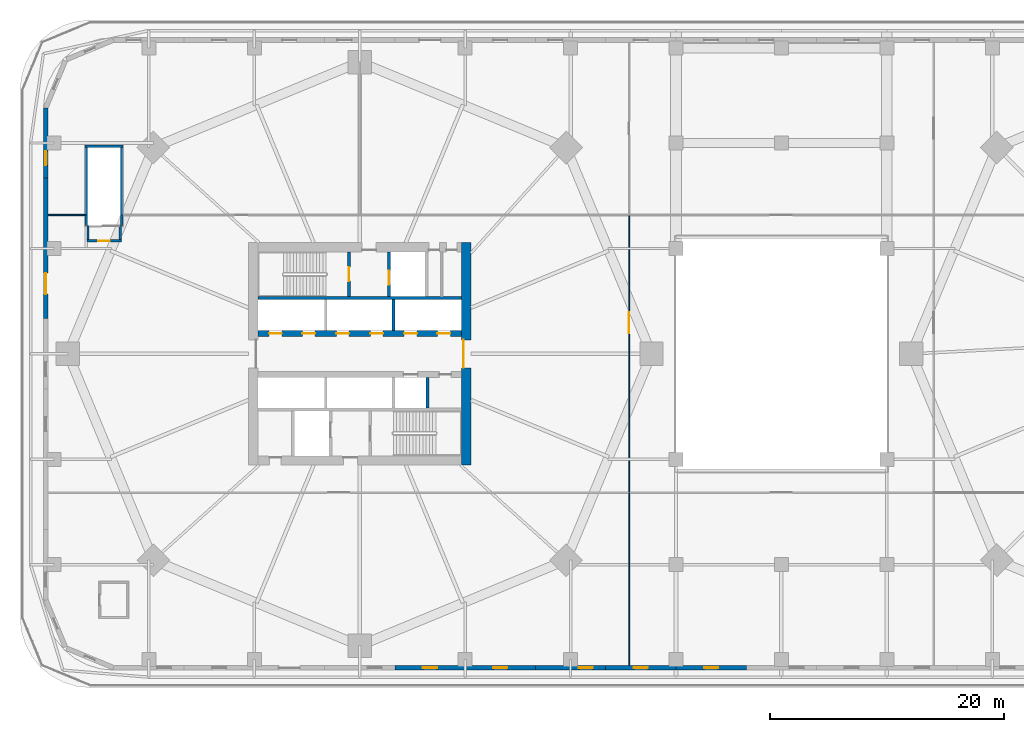
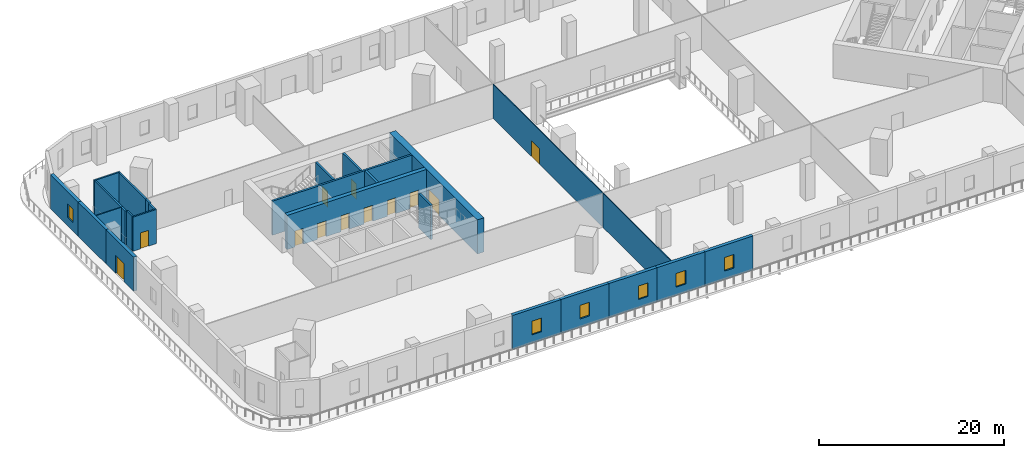
# One storey, part 5 of 16: 26 walls, 12 doors, 6 windows, 18 openings.
"""IFC4 building model written with IfcOpenShell, lengths in metres."""

from ifc_helpers import new_model, si_unit, direction, frame, frame_2d, origin, place, context, subcontext, project, spatial, rectangle, extrude, material, layer, layer_set, type_object, element, fill, save


model = new_model("IFC4")

# Units and contexts
model_context = context("Model", 3, precision=1e-05, world=origin(), true_north=direction((0.0, 1.0)))
body_context = subcontext(model_context, "Body", "Model", "MODEL_VIEW")
ifc_project = project(units=[si_unit("LENGTHUNIT", "METRE"), si_unit("AREAUNIT", "SQUARE_METRE"), si_unit("VOLUMEUNIT", "CUBIC_METRE"), si_unit("PLANEANGLEUNIT", "RADIAN"), si_unit("MASSUNIT", "GRAM", prefix="KILO")], contexts=[model_context])

# Site, building, storey
site_placement = place(None, origin())
site = spatial("IfcSite", under=ifc_project, at=site_placement, CompositionType="ELEMENT")
building_placement = place(site_placement, origin())
building = spatial("IfcBuilding", under=site, at=building_placement, Name="Ogive Gate Towers", CompositionType="ELEMENT")
storey_placement = place(building_placement, frame((0.0, 0.0, 22.800048828125)))
storey = spatial("IfcBuildingStorey", under=building, at=storey_placement, Name="L04", CompositionType="ELEMENT", Elevation=22.800048828125)

# Wall, opening, door
ifc_material_1 = material(Name="Concrete C60/75", Category="concrete")
ifc_layer_1 = layer(ifc_material_1, 0.800048828125)
ifc_layer_set_1 = layer_set([ifc_layer_1], Name="Core wall 800 mm")
wall_type_1 = type_object("IfcWallType", Name="Core wall 800 mm", PredefinedType="SHEAR", material=ifc_layer_set_1)
wall_1_placement = place(storey_placement, frame((-26.89990234375, -9.5, 0.0), z_axis=(0.0, 0.0, 1.0), x_axis=(0.0, 1.0, 0.0)))
wall_1 = element("IfcWall", 1, at=wall_1_placement, inside=storey, type_object=wall_type_1, Name="T1 L04 Core wall 800 mm", PredefinedType="SHEAR", context=body_context, shape_type="SweptSolid", body=[
    extrude(rectangle(XDim=19.0, YDim=0.800048828125, at=frame_2d((9.5, 0.0))), origin(), (0.0, 0.0, 1.0), 4.5),
])
opening_1_placement = place(wall_1_placement, frame((8.300048828125, 0.0, 0.0)))
opening_1 = element("IfcOpeningElement", 2, at=opening_1_placement, cuts=wall_1, Name="Opening KD-T1-L04-02", PredefinedType="OPENING", context=body_context, shape_type="SweptSolid", body=[
    extrude(rectangle(XDim=2.39990234375, YDim=2.10009765625, at=frame_2d((1.199951171875, 1.050048828125))), frame((0.0, 0.41015625, 0.0), z_axis=(0.0, -1.0, 0.0), x_axis=(1.0, 0.0, 0.0)), (0.0, 0.0, 1.0), 0.820068359375),
])
ifc_material_2 = material(Name="Steel fire door", Category="steel")
door_type_1 = type_object("IfcDoorType", Name="Core double door FD60S 2400 x 2100", OperationType="DOUBLE_DOOR_SINGLE_SWING", PredefinedType="DOOR", material=ifc_material_2)
door_1_placement = place(opening_1_placement, origin())
door_1 = element("IfcDoor", 3, at=door_1_placement, inside=storey, type_object=door_type_1, Name="T1 L04 Core door double", OperationType="DOUBLE_DOOR_SINGLE_SWING", OverallHeight=2.10009765625, OverallWidth=2.39990234375, PredefinedType="DOOR", context=body_context, shape_type="SweptSolid", body=[
    extrude(rectangle(XDim=2.39990234375, YDim=2.10009765625, at=frame_2d((1.199951171875, 1.050048828125))), frame((0.0, 0.27490234375, 0.0), z_axis=(0.0, -1.0, 0.0), x_axis=(1.0, 0.0, 0.0)), (0.0, 0.0, 1.0), 0.050048828125),
])
fill(opening_1, door_1)

# Wall
ifc_material_3 = material(Name="Gypsum board partition")
ifc_layer_2 = layer(ifc_material_3, 0.10009765625)
ifc_layer_set_2 = layer_set([ifc_layer_2], Name="Partition wall 100")
wall_type_2 = type_object("IfcWallType", Name="Partition wall 100", PredefinedType="PARTITIONING", material=ifc_layer_set_2)
wall_2_placement = place(storey_placement, frame((-62.60009765625, 11.85009765625, 0.0), z_axis=(0.0, 0.0, 1.0), x_axis=(1.0, 0.0, 0.0)))
element("IfcWall", 4, at=wall_2_placement, inside=storey, type_object=wall_type_2, Name="L04 partition 026", PredefinedType="PARTITIONING", context=body_context, shape_type="SweptSolid", body=[
    extrude(rectangle(XDim=3.150146484375, YDim=0.10009765625, at=frame_2d((1.5751953125, 0.0))), origin(), (0.0, 0.0, 1.0), 4.5),
])

# Wall, opening, door
wall_3_placement = place(storey_placement, frame((-13.0, -11.800048828125, 0.0), z_axis=(0.0, 0.0, 1.0), x_axis=(0.0, 1.0, 0.0)))
wall_3 = element("IfcWall", 5, at=wall_3_placement, inside=storey, type_object=wall_type_2, Name="L04 partition 032", PredefinedType="PARTITIONING", context=body_context, shape_type="SweptSolid", body=[
    extrude(rectangle(XDim=23.60009765625, YDim=0.10009765625, at=frame_2d((11.800048828125, 0.0))), origin(), (0.0, 0.0, 1.0), 4.5),
])
opening_2_placement = place(wall_3_placement, frame((13.550048828125, 0.0, 0.0)))
opening_2 = element("IfcOpeningElement", 6, at=opening_2_placement, cuts=wall_3, Name="Opening PO211", PredefinedType="OPENING", context=body_context, shape_type="SweptSolid", body=[
    extrude(rectangle(XDim=1.800048828125, YDim=2.10009765625, at=frame_2d((0.89990234375, 1.050048828125))), frame((0.0, 0.06005859375, 0.0), z_axis=(0.0, -1.0, 0.0), x_axis=(1.0, 0.0, 0.0)), (0.0, 0.0, 1.0), 0.1201171875),
])
ifc_material_4 = material(Name="Timber door", Category="wood")
door_type_2 = type_object("IfcDoorType", Name="Double door 1800 x 2100", OperationType="NOTDEFINED", PredefinedType="DOOR", material=ifc_material_4)
door_2_placement = place(opening_2_placement, origin())
door_2 = element("IfcDoor", 7, at=door_2_placement, inside=storey, type_object=door_type_2, Name="Door PO211", OperationType="DOUBLE_DOOR_DOUBLE_SWING", OverallHeight=2.10009765625, OverallWidth=1.800048828125, PredefinedType="DOOR", context=body_context, shape_type="SweptSolid", body=[
    extrude(rectangle(XDim=1.800048828125, YDim=2.10009765625, at=frame_2d((0.89990234375, 1.050048828125))), frame((0.0, 0.02490234375, 0.0), z_axis=(0.0, -1.0, 0.0), x_axis=(1.0, 0.0, 0.0)), (0.0, 0.0, 1.0), 0.050048828125),
])
fill(opening_2, door_2)

# Wall
wall_4_placement = place(storey_placement, frame((-13.0, -26.60009765625, 0.0), z_axis=(0.0, 0.0, 1.0), x_axis=(0.0, 1.0, 0.0)))
element("IfcWall", 8, at=wall_4_placement, inside=storey, type_object=wall_type_2, Name="L04 partition 036", PredefinedType="PARTITIONING", context=body_context, shape_type="SweptSolid", body=[
    extrude(rectangle(XDim=14.7001953125, YDim=0.10009765625, at=frame_2d((7.35009765625, 0.0))), origin(), (0.0, 0.0, 1.0), 4.5),
])

# Wall, opening, window
ifc_material_5 = material(Name="Precast concrete C40/50", Category="concrete")
ifc_layer_3 = layer(ifc_material_5, 0.39990234375)
ifc_layer_set_3 = layer_set([ifc_layer_3], Name="Podium wall 400")
wall_type_3 = type_object("IfcWallType", Name="Podium wall 400", PredefinedType="SOLIDWALL", material=ifc_layer_set_3)
wall_5_placement = place(storey_placement, frame((-62.800048828125, 21.0, 0.0), z_axis=(0.0, 0.0, 1.0), x_axis=(0.0, -1.0, 0.0)))
wall_5 = element("IfcWall", 9, at=wall_5_placement, inside=storey, type_object=wall_type_3, Name="Podium wall", PredefinedType="SOLIDWALL", context=body_context, shape_type="SweptSolid", body=[
    extrude(rectangle(XDim=6.0, YDim=0.39990234375, at=frame_2d((3.0, 0.0))), origin(), (0.0, 0.0, 1.0), 4.5),
])
opening_3_placement = place(wall_5_placement, frame((3.699951171875, 0.0, 1.10009765625)))
opening_3 = element("IfcOpeningElement", 10, at=opening_3_placement, cuts=wall_5, Name="Opening WN3", PredefinedType="OPENING", context=body_context, shape_type="SweptSolid", body=[
    extrude(rectangle(XDim=1.199951171875, YDim=1.800048828125, at=frame_2d((0.60009765625, 0.89990234375))), frame((0.0, 0.2099609375, 0.0), z_axis=(0.0, -1.0, 0.0), x_axis=(1.0, 0.0, 0.0)), (0.0, 0.0, 1.0), 0.419921875),
])
ifc_material_6 = material(Name="Clear glass", Category="glass")
window_type = type_object("IfcWindowType", Name="Podium window 1200 x 1800", PartitioningType="SINGLE_PANEL", PredefinedType="WINDOW", material=ifc_material_6)
window_1_placement = place(opening_3_placement, origin())
window_1 = element("IfcWindow", 11, at=window_1_placement, inside=storey, type_object=window_type, Name="Podium window", OverallHeight=1.800048828125, OverallWidth=1.199951171875, PartitioningType="SINGLE_PANEL", PredefinedType="WINDOW", context=body_context, shape_type="SweptSolid", body=[
    extrude(rectangle(XDim=1.199951171875, YDim=1.800048828125, at=frame_2d((0.60009765625, 0.89990234375))), frame((0.0, 0.030029296875, 0.0), z_axis=(0.0, -1.0, 0.0), x_axis=(1.0, 0.0, 0.0)), (0.0, 0.0, 1.0), 0.06005859375),
])
fill(opening_3, window_1)

# Wall
wall_6_placement = place(storey_placement, frame((-62.800048828125, 15.0, 0.0), z_axis=(0.0, 0.0, 1.0), x_axis=(0.0, -1.0, 0.0)))
element("IfcWall", 12, at=wall_6_placement, inside=storey, type_object=wall_type_3, Name="Podium wall", PredefinedType="SOLIDWALL", context=body_context, shape_type="SweptSolid", body=[
    extrude(rectangle(XDim=6.0, YDim=0.39990234375, at=frame_2d((3.0, 0.0))), origin(), (0.0, 0.0, 1.0), 4.5),
])

# Wall, opening, door
wall_7_placement = place(storey_placement, frame((-62.800048828125, 9.0, 0.0), z_axis=(0.0, 0.0, 1.0), x_axis=(0.0, -1.0, 0.0)))
wall_7 = element("IfcWall", 13, at=wall_7_placement, inside=storey, type_object=wall_type_3, Name="Podium wall", PredefinedType="SOLIDWALL", context=body_context, shape_type="SweptSolid", body=[
    extrude(rectangle(XDim=6.0, YDim=0.39990234375, at=frame_2d((3.0, 0.0))), origin(), (0.0, 0.0, 1.0), 4.5),
])
opening_4_placement = place(wall_7_placement, frame((2.10009765625, 0.0, 0.0)))
opening_4 = element("IfcOpeningElement", 14, at=opening_4_placement, cuts=wall_7, Name="Opening ED3-L04-04", PredefinedType="OPENING", context=body_context, shape_type="SweptSolid", body=[
    extrude(rectangle(XDim=1.800048828125, YDim=2.39990234375, at=frame_2d((0.89990234375, 1.199951171875))), frame((0.0, 0.2099609375, 0.0), z_axis=(0.0, -1.0, 0.0), x_axis=(1.0, 0.0, 0.0)), (0.0, 0.0, 1.0), 0.419921875),
])
ifc_material_7 = material(Name="Pale metal aluminium", Category="aluminium")
door_type_3 = type_object("IfcDoorType", Name="Terrace door 1800 x 2400", OperationType="DOUBLE_DOOR_SINGLE_SWING", PredefinedType="DOOR", material=ifc_material_7)
door_3_placement = place(opening_4_placement, origin())
door_3 = element("IfcDoor", 15, at=door_3_placement, inside=storey, type_object=door_type_3, Name="Exterior door", OperationType="SINGLE_SWING_LEFT", OverallHeight=2.39990234375, OverallWidth=1.800048828125, PredefinedType="DOOR", context=body_context, shape_type="SweptSolid", body=[
    extrude(rectangle(XDim=1.800048828125, YDim=2.39990234375, at=frame_2d((0.89990234375, 1.199951171875))), frame((0.0, 0.02490234375, 0.0), z_axis=(0.0, -1.0, 0.0), x_axis=(1.0, 0.0, 0.0)), (0.0, 0.0, 1.0), 0.050048828125),
])
fill(opening_4, door_3)

# Wall, opening, window
wall_8_placement = place(storey_placement, frame((-33.0, -26.800048828125, 0.0), z_axis=(0.0, 0.0, 1.0), x_axis=(1.0, 0.0, 0.0)))
wall_8 = element("IfcWall", 16, at=wall_8_placement, inside=storey, type_object=wall_type_3, Name="Podium wall", PredefinedType="SOLIDWALL", context=body_context, shape_type="SweptSolid", body=[
    extrude(rectangle(XDim=6.0, YDim=0.39990234375, at=frame_2d((3.0, 0.0))), origin(), (0.0, 0.0, 1.0), 4.5),
])
opening_5_placement = place(wall_8_placement, frame((2.39990234375, 0.0, 1.10009765625)))
opening_5 = element("IfcOpeningElement", 17, at=opening_5_placement, cuts=wall_8, Name="Opening WN3", PredefinedType="OPENING", context=body_context, shape_type="SweptSolid", body=[
    extrude(rectangle(XDim=1.199951171875, YDim=1.800048828125, at=frame_2d((0.60009765625, 0.89990234375))), frame((0.0, 0.2099609375, 0.0), z_axis=(0.0, -1.0, 0.0), x_axis=(1.0, 0.0, 0.0)), (0.0, 0.0, 1.0), 0.419921875),
])
window_2_placement = place(opening_5_placement, origin())
window_2 = element("IfcWindow", 18, at=window_2_placement, inside=storey, type_object=window_type, Name="Podium window", OverallHeight=1.800048828125, OverallWidth=1.199951171875, PartitioningType="SINGLE_PANEL", PredefinedType="WINDOW", context=body_context, shape_type="SweptSolid", body=[
    extrude(rectangle(XDim=1.199951171875, YDim=1.800048828125, at=frame_2d((0.60009765625, 0.89990234375))), frame((0.0, 0.030029296875, 0.0), z_axis=(0.0, -1.0, 0.0), x_axis=(1.0, 0.0, 0.0)), (0.0, 0.0, 1.0), 0.06005859375),
])
fill(opening_5, window_2)

wall_9_placement = place(storey_placement, frame((-27.0, -26.800048828125, 0.0), z_axis=(0.0, 0.0, 1.0), x_axis=(1.0, 0.0, 0.0)))
wall_9 = element("IfcWall", 19, at=wall_9_placement, inside=storey, type_object=wall_type_3, Name="Podium wall", PredefinedType="SOLIDWALL", context=body_context, shape_type="SweptSolid", body=[
    extrude(rectangle(XDim=6.0, YDim=0.39990234375, at=frame_2d((3.0, 0.0))), origin(), (0.0, 0.0, 1.0), 4.5),
])
opening_6_placement = place(wall_9_placement, frame((2.39990234375, 0.0, 1.10009765625)))
opening_6 = element("IfcOpeningElement", 20, at=opening_6_placement, cuts=wall_9, Name="Opening WN3", PredefinedType="OPENING", context=body_context, shape_type="SweptSolid", body=[
    extrude(rectangle(XDim=1.199951171875, YDim=1.800048828125, at=frame_2d((0.60009765625, 0.89990234375))), frame((0.0, 0.2099609375, 0.0), z_axis=(0.0, -1.0, 0.0), x_axis=(1.0, 0.0, 0.0)), (0.0, 0.0, 1.0), 0.419921875),
])
window_3_placement = place(opening_6_placement, origin())
window_3 = element("IfcWindow", 21, at=window_3_placement, inside=storey, type_object=window_type, Name="Podium window", OverallHeight=1.800048828125, OverallWidth=1.199951171875, PartitioningType="SINGLE_PANEL", PredefinedType="WINDOW", context=body_context, shape_type="SweptSolid", body=[
    extrude(rectangle(XDim=1.199951171875, YDim=1.800048828125, at=frame_2d((0.60009765625, 0.89990234375))), frame((0.0, 0.030029296875, 0.0), z_axis=(0.0, -1.0, 0.0), x_axis=(1.0, 0.0, 0.0)), (0.0, 0.0, 1.0), 0.06005859375),
])
fill(opening_6, window_3)

wall_10_placement = place(storey_placement, frame((-21.0, -26.800048828125, 0.0), z_axis=(0.0, 0.0, 1.0), x_axis=(1.0, 0.0, 0.0)))
wall_10 = element("IfcWall", 22, at=wall_10_placement, inside=storey, type_object=wall_type_3, Name="Podium wall", PredefinedType="SOLIDWALL", context=body_context, shape_type="SweptSolid", body=[
    extrude(rectangle(XDim=6.0, YDim=0.39990234375, at=frame_2d((3.0, 0.0))), origin(), (0.0, 0.0, 1.0), 4.5),
])
opening_7_placement = place(wall_10_placement, frame((3.699951171875, 0.0, 1.10009765625)))
opening_7 = element("IfcOpeningElement", 23, at=opening_7_placement, cuts=wall_10, Name="Opening WN3", PredefinedType="OPENING", context=body_context, shape_type="SweptSolid", body=[
    extrude(rectangle(XDim=1.199951171875, YDim=1.800048828125, at=frame_2d((0.60009765625, 0.89990234375))), frame((0.0, 0.2099609375, 0.0), z_axis=(0.0, -1.0, 0.0), x_axis=(1.0, 0.0, 0.0)), (0.0, 0.0, 1.0), 0.419921875),
])
window_4_placement = place(opening_7_placement, origin())
window_4 = element("IfcWindow", 24, at=window_4_placement, inside=storey, type_object=window_type, Name="Podium window", OverallHeight=1.800048828125, OverallWidth=1.199951171875, PartitioningType="SINGLE_PANEL", PredefinedType="WINDOW", context=body_context, shape_type="SweptSolid", body=[
    extrude(rectangle(XDim=1.199951171875, YDim=1.800048828125, at=frame_2d((0.60009765625, 0.89990234375))), frame((0.0, 0.030029296875, 0.0), z_axis=(0.0, -1.0, 0.0), x_axis=(1.0, 0.0, 0.0)), (0.0, 0.0, 1.0), 0.06005859375),
])
fill(opening_7, window_4)

wall_11_placement = place(storey_placement, frame((-15.0, -26.800048828125, 0.0), z_axis=(0.0, 0.0, 1.0), x_axis=(1.0, 0.0, 0.0)))
wall_11 = element("IfcWall", 25, at=wall_11_placement, inside=storey, type_object=wall_type_3, Name="Podium wall", PredefinedType="SOLIDWALL", context=body_context, shape_type="SweptSolid", body=[
    extrude(rectangle(XDim=6.0, YDim=0.39990234375, at=frame_2d((3.0, 0.0))), origin(), (0.0, 0.0, 1.0), 4.5),
])
opening_8_placement = place(wall_11_placement, frame((2.39990234375, 0.0, 1.10009765625)))
opening_8 = element("IfcOpeningElement", 26, at=opening_8_placement, cuts=wall_11, Name="Opening WN3", PredefinedType="OPENING", context=body_context, shape_type="SweptSolid", body=[
    extrude(rectangle(XDim=1.199951171875, YDim=1.800048828125, at=frame_2d((0.60009765625, 0.89990234375))), frame((0.0, 0.2099609375, 0.0), z_axis=(0.0, -1.0, 0.0), x_axis=(1.0, 0.0, 0.0)), (0.0, 0.0, 1.0), 0.419921875),
])
window_5_placement = place(opening_8_placement, origin())
window_5 = element("IfcWindow", 27, at=window_5_placement, inside=storey, type_object=window_type, Name="Podium window", OverallHeight=1.800048828125, OverallWidth=1.199951171875, PartitioningType="SINGLE_PANEL", PredefinedType="WINDOW", context=body_context, shape_type="SweptSolid", body=[
    extrude(rectangle(XDim=1.199951171875, YDim=1.800048828125, at=frame_2d((0.60009765625, 0.89990234375))), frame((0.0, 0.030029296875, 0.0), z_axis=(0.0, -1.0, 0.0), x_axis=(1.0, 0.0, 0.0)), (0.0, 0.0, 1.0), 0.06005859375),
])
fill(opening_8, window_5)

wall_12_placement = place(storey_placement, frame((-9.0, -26.800048828125, 0.0), z_axis=(0.0, 0.0, 1.0), x_axis=(1.0, 0.0, 0.0)))
wall_12 = element("IfcWall", 28, at=wall_12_placement, inside=storey, type_object=wall_type_3, Name="Podium wall", PredefinedType="SOLIDWALL", context=body_context, shape_type="SweptSolid", body=[
    extrude(rectangle(XDim=6.0, YDim=0.39990234375, at=frame_2d((3.0, 0.0))), origin(), (0.0, 0.0, 1.0), 4.5),
])
opening_9_placement = place(wall_12_placement, frame((2.39990234375, 0.0, 1.10009765625)))
opening_9 = element("IfcOpeningElement", 29, at=opening_9_placement, cuts=wall_12, Name="Opening WN3", PredefinedType="OPENING", context=body_context, shape_type="SweptSolid", body=[
    extrude(rectangle(XDim=1.199951171875, YDim=1.800048828125, at=frame_2d((0.60009765625, 0.89990234375))), frame((0.0, 0.2099609375, 0.0), z_axis=(0.0, -1.0, 0.0), x_axis=(1.0, 0.0, 0.0)), (0.0, 0.0, 1.0), 0.419921875),
])
window_6_placement = place(opening_9_placement, origin())
window_6 = element("IfcWindow", 30, at=window_6_placement, inside=storey, type_object=window_type, Name="Podium window", OverallHeight=1.800048828125, OverallWidth=1.199951171875, PartitioningType="SINGLE_PANEL", PredefinedType="WINDOW", context=body_context, shape_type="SweptSolid", body=[
    extrude(rectangle(XDim=1.199951171875, YDim=1.800048828125, at=frame_2d((0.60009765625, 0.89990234375))), frame((0.0, 0.030029296875, 0.0), z_axis=(0.0, -1.0, 0.0), x_axis=(1.0, 0.0, 0.0)), (0.0, 0.0, 1.0), 0.06005859375),
])
fill(opening_9, window_6)

# Wall
ifc_layer_4 = layer(ifc_material_1, 0.25)
ifc_layer_set_4 = layer_set([ifc_layer_4], Name="Shaft wall 250 mm")
wall_type_4 = type_object("IfcWallType", Name="Shaft wall 250 mm", PredefinedType="SHEAR", material=ifc_layer_set_4)
wall_13_placement = place(storey_placement, frame((-44.699951171875, 4.75, 0.0), z_axis=(0.0, 0.0, 1.0), x_axis=(1.0, 0.0, 0.0)))
element("IfcWall", 31, at=wall_13_placement, inside=storey, type_object=wall_type_4, Name="T1 L04 Shaft wall 250 mm", PredefinedType="SHEAR", context=body_context, shape_type="SweptSolid", body=[
    extrude(rectangle(XDim=17.39990234375, YDim=0.25, at=frame_2d((8.699951171875, 0.0))), origin(), (0.0, 0.0, 1.0), 4.5),
])

# Wall, opening, door
wall_14_placement = place(storey_placement, frame((-36.89990234375, 4.875, 0.0), z_axis=(0.0, 0.0, 1.0), x_axis=(0.0, 1.0, 0.0)))
wall_14 = element("IfcWall", 32, at=wall_14_placement, inside=storey, type_object=wall_type_4, Name="T1 L04 Shaft wall 250 mm", PredefinedType="SHEAR", context=body_context, shape_type="SweptSolid", body=[
    extrude(rectangle(XDim=3.824951171875, YDim=0.25, at=frame_2d((1.91259765625, 0.0))), origin(), (0.0, 0.0, 1.0), 4.5),
])
opening_10_placement = place(wall_14_placement, frame((1.324951171875, 0.0, 0.0)))
opening_10 = element("IfcOpeningElement", 33, at=opening_10_placement, cuts=wall_14, Name="Opening KD-T1-L04-13", PredefinedType="OPENING", context=body_context, shape_type="SweptSolid", body=[
    extrude(rectangle(XDim=1.199951171875, YDim=2.10009765625, at=frame_2d((0.60009765625, 1.050048828125))), frame((0.0, 0.135009765625, 0.0), z_axis=(0.0, -1.0, 0.0), x_axis=(1.0, 0.0, 0.0)), (0.0, 0.0, 1.0), 0.27001953125),
])
door_type_4 = type_object("IfcDoorType", Name="Core door FD60S 1200 x 2100", OperationType="NOTDEFINED", PredefinedType="DOOR", material=ifc_material_2)
door_4_placement = place(opening_10_placement, origin())
door_4 = element("IfcDoor", 34, at=door_4_placement, inside=storey, type_object=door_type_4, Name="T1 L04 Stair door", OperationType="SINGLE_SWING_RIGHT", OverallHeight=2.10009765625, OverallWidth=1.199951171875, PredefinedType="DOOR", context=body_context, shape_type="SweptSolid", body=[
    extrude(rectangle(XDim=1.199951171875, YDim=2.10009765625, at=frame_2d((0.60009765625, 1.050048828125))), frame((0.0, 0.02490234375, 0.0), z_axis=(0.0, -1.0, 0.0), x_axis=(1.0, 0.0, 0.0)), (0.0, 0.0, 1.0), 0.050048828125),
])
fill(opening_10, door_4)

wall_15_placement = place(storey_placement, frame((-33.5, 4.875, 0.0), z_axis=(0.0, 0.0, 1.0), x_axis=(0.0, 1.0, 0.0)))
wall_15 = element("IfcWall", 35, at=wall_15_placement, inside=storey, type_object=wall_type_4, Name="T1 L04 Shaft wall 250 mm", PredefinedType="SHEAR", context=body_context, shape_type="SweptSolid", body=[
    extrude(rectangle(XDim=3.824951171875, YDim=0.25, at=frame_2d((1.91259765625, 0.0))), origin(), (0.0, 0.0, 1.0), 4.5),
])
opening_11_placement = place(wall_15_placement, frame((1.02490234375, 0.0, 0.0)))
opening_11 = element("IfcOpeningElement", 36, at=opening_11_placement, cuts=wall_15, Name="Opening LD-T1-L04-10", PredefinedType="OPENING", context=body_context, shape_type="SweptSolid", body=[
    extrude(rectangle(XDim=1.199951171875, YDim=2.10009765625, at=frame_2d((0.60009765625, 1.050048828125))), frame((0.0, 0.135009765625, 0.0), z_axis=(0.0, -1.0, 0.0), x_axis=(1.0, 0.0, 0.0)), (0.0, 0.0, 1.0), 0.27001953125),
])
ifc_material_8 = material(Name="Stainless steel landing door", Category="steel")
door_type_5 = type_object("IfcDoorType", Name="Landing door 1200 x 2100", OperationType="SLIDING_TO_LEFT", PredefinedType="DOOR", material=ifc_material_8)
door_5_placement = place(opening_11_placement, origin())
door_5 = element("IfcDoor", 37, at=door_5_placement, inside=storey, type_object=door_type_5, Name="T1 L04 Lift landing door FF1", OperationType="SLIDING_TO_LEFT", OverallHeight=2.10009765625, OverallWidth=1.199951171875, PredefinedType="DOOR", context=body_context, shape_type="SweptSolid", body=[
    extrude(rectangle(XDim=1.199951171875, YDim=2.10009765625, at=frame_2d((0.60009765625, 1.050048828125))), frame((0.0, 0.02490234375, 0.0), z_axis=(0.0, -1.0, 0.0), x_axis=(1.0, 0.0, 0.0)), (0.0, 0.0, 1.0), 0.050048828125),
])
fill(opening_11, door_5)

# Walls
for number, where, z_axis, x_axis, name in (
    (38, (-33.10009765625, 2.0, 0.0), (0.0, 0.0, 1.0), (0.0, 1.0, 0.0), "T1 L04 Shaft wall 250 mm"),
    (39, (-30.199951171875, -4.625, 0.0), (0.0, 0.0, 1.0), (0.0, 1.0, 0.0), "T1 L04 Shaft wall 250 mm"),
):
    element("IfcWall", number, at=place(storey_placement, frame(where, z_axis=z_axis, x_axis=x_axis)), inside=storey, type_object=wall_type_4, Name=name, PredefinedType="SHEAR", context=body_context, shape_type="SweptSolid", body=[
        extrude(rectangle(XDim=2.625, YDim=0.25, at=frame_2d((1.3125, 0.0))), origin(), (0.0, 0.0, 1.0), 4.5),
    ])

# Wall, openings, doors
ifc_layer_5 = layer(ifc_material_1, 0.5)
ifc_layer_set_5 = layer_set([ifc_layer_5], Name="Spine wall 500 mm")
wall_type_5 = type_object("IfcWallType", Name="Spine wall 500 mm", PredefinedType="SHEAR", material=ifc_layer_set_5)
wall_16_placement = place(storey_placement, frame((-44.699951171875, 1.75, 0.0), z_axis=(0.0, 0.0, 1.0), x_axis=(1.0, 0.0, 0.0)))
wall_16 = element("IfcWall", 40, at=wall_16_placement, inside=storey, type_object=wall_type_5, Name="T1 L04 Spine wall 500 mm", PredefinedType="SHEAR", context=body_context, shape_type="SweptSolid", body=[
    extrude(rectangle(XDim=17.39990234375, YDim=0.5, at=frame_2d((8.699951171875, 0.0))), origin(), (0.0, 0.0, 1.0), 4.5),
])
opening_12_placement = place(wall_16_placement, frame((0.96240234375, 0.0, 0.0)))
opening_12 = element("IfcOpeningElement", 41, at=opening_12_placement, cuts=wall_16, Name="Opening LD-T1-L04-03", PredefinedType="OPENING", context=body_context, shape_type="SweptSolid", body=[
    extrude(rectangle(XDim=1.10009765625, YDim=2.10009765625, at=frame_2d((0.550048828125, 1.050048828125))), frame((0.0, 0.260009765625, 0.0), z_axis=(0.0, -1.0, 0.0), x_axis=(1.0, 0.0, 0.0)), (0.0, 0.0, 1.0), 0.52001953125),
])
opening_13_placement = place(wall_16_placement, frame((3.800048828125, 0.0, 0.0)))
opening_13 = element("IfcOpeningElement", 42, at=opening_13_placement, cuts=wall_16, Name="Opening LD-T1-L04-04", PredefinedType="OPENING", context=body_context, shape_type="SweptSolid", body=[
    extrude(rectangle(XDim=1.10009765625, YDim=2.10009765625, at=frame_2d((0.550048828125, 1.050048828125))), frame((0.0, 0.260009765625, 0.0), z_axis=(0.0, -1.0, 0.0), x_axis=(1.0, 0.0, 0.0)), (0.0, 0.0, 1.0), 0.52001953125),
])
opening_14_placement = place(wall_16_placement, frame((6.699951171875, 0.0, 0.0)))
opening_14 = element("IfcOpeningElement", 43, at=opening_14_placement, cuts=wall_16, Name="Opening LD-T1-L04-05", PredefinedType="OPENING", context=body_context, shape_type="SweptSolid", body=[
    extrude(rectangle(XDim=1.10009765625, YDim=2.10009765625, at=frame_2d((0.550048828125, 1.050048828125))), frame((0.0, 0.260009765625, 0.0), z_axis=(0.0, -1.0, 0.0), x_axis=(1.0, 0.0, 0.0)), (0.0, 0.0, 1.0), 0.52001953125),
])
opening_15_placement = place(wall_16_placement, frame((9.60009765625, 0.0, 0.0)))
opening_15 = element("IfcOpeningElement", 44, at=opening_15_placement, cuts=wall_16, Name="Opening LD-T1-L04-06", PredefinedType="OPENING", context=body_context, shape_type="SweptSolid", body=[
    extrude(rectangle(XDim=1.10009765625, YDim=2.10009765625, at=frame_2d((0.550048828125, 1.050048828125))), frame((0.0, 0.260009765625, 0.0), z_axis=(0.0, -1.0, 0.0), x_axis=(1.0, 0.0, 0.0)), (0.0, 0.0, 1.0), 0.52001953125),
])
opening_16_placement = place(wall_16_placement, frame((12.5, 0.0, 0.0)))
opening_16 = element("IfcOpeningElement", 45, at=opening_16_placement, cuts=wall_16, Name="Opening LD-T1-L04-07", PredefinedType="OPENING", context=body_context, shape_type="SweptSolid", body=[
    extrude(rectangle(XDim=1.10009765625, YDim=2.10009765625, at=frame_2d((0.550048828125, 1.050048828125))), frame((0.0, 0.260009765625, 0.0), z_axis=(0.0, -1.0, 0.0), x_axis=(1.0, 0.0, 0.0)), (0.0, 0.0, 1.0), 0.52001953125),
])
opening_17_placement = place(wall_16_placement, frame((15.33740234375, 0.0, 0.0)))
opening_17 = element("IfcOpeningElement", 46, at=opening_17_placement, cuts=wall_16, Name="Opening LD-T1-L04-08", PredefinedType="OPENING", context=body_context, shape_type="SweptSolid", body=[
    extrude(rectangle(XDim=1.10009765625, YDim=2.10009765625, at=frame_2d((0.550048828125, 1.050048828125))), frame((0.0, 0.260009765625, 0.0), z_axis=(0.0, -1.0, 0.0), x_axis=(1.0, 0.0, 0.0)), (0.0, 0.0, 1.0), 0.52001953125),
])
door_type_6 = type_object("IfcDoorType", Name="Landing door 1100 x 2100", OperationType="SLIDING_TO_LEFT", PredefinedType="DOOR", material=ifc_material_8)
door_6_placement = place(opening_12_placement, origin())
door_6 = element("IfcDoor", 47, at=door_6_placement, inside=storey, type_object=door_type_6, Name="T1 L04 Lift landing door A1", OperationType="SLIDING_TO_LEFT", OverallHeight=2.10009765625, OverallWidth=1.10009765625, PredefinedType="DOOR", context=body_context, shape_type="SweptSolid", body=[
    extrude(rectangle(XDim=1.10009765625, YDim=2.10009765625, at=frame_2d((0.550048828125, 1.050048828125))), frame((0.0, 0.02490234375, 0.0), z_axis=(0.0, -1.0, 0.0), x_axis=(1.0, 0.0, 0.0)), (0.0, 0.0, 1.0), 0.050048828125),
])
fill(opening_12, door_6)
door_7_placement = place(opening_13_placement, origin())
door_7 = element("IfcDoor", 48, at=door_7_placement, inside=storey, type_object=door_type_6, Name="T1 L04 Lift landing door A2", OperationType="SLIDING_TO_LEFT", OverallHeight=2.10009765625, OverallWidth=1.10009765625, PredefinedType="DOOR", context=body_context, shape_type="SweptSolid", body=[
    extrude(rectangle(XDim=1.10009765625, YDim=2.10009765625, at=frame_2d((0.550048828125, 1.050048828125))), frame((0.0, 0.02490234375, 0.0), z_axis=(0.0, -1.0, 0.0), x_axis=(1.0, 0.0, 0.0)), (0.0, 0.0, 1.0), 0.050048828125),
])
fill(opening_13, door_7)
door_8_placement = place(opening_14_placement, origin())
door_8 = element("IfcDoor", 49, at=door_8_placement, inside=storey, type_object=door_type_6, Name="T1 L04 Lift landing door A3", OperationType="SLIDING_TO_LEFT", OverallHeight=2.10009765625, OverallWidth=1.10009765625, PredefinedType="DOOR", context=body_context, shape_type="SweptSolid", body=[
    extrude(rectangle(XDim=1.10009765625, YDim=2.10009765625, at=frame_2d((0.550048828125, 1.050048828125))), frame((0.0, 0.02490234375, 0.0), z_axis=(0.0, -1.0, 0.0), x_axis=(1.0, 0.0, 0.0)), (0.0, 0.0, 1.0), 0.050048828125),
])
fill(opening_14, door_8)
door_9_placement = place(opening_15_placement, origin())
door_9 = element("IfcDoor", 50, at=door_9_placement, inside=storey, type_object=door_type_6, Name="T1 L04 Lift landing door A4", OperationType="SLIDING_TO_LEFT", OverallHeight=2.10009765625, OverallWidth=1.10009765625, PredefinedType="DOOR", context=body_context, shape_type="SweptSolid", body=[
    extrude(rectangle(XDim=1.10009765625, YDim=2.10009765625, at=frame_2d((0.550048828125, 1.050048828125))), frame((0.0, 0.02490234375, 0.0), z_axis=(0.0, -1.0, 0.0), x_axis=(1.0, 0.0, 0.0)), (0.0, 0.0, 1.0), 0.050048828125),
])
fill(opening_15, door_9)
door_10_placement = place(opening_16_placement, origin())
door_10 = element("IfcDoor", 51, at=door_10_placement, inside=storey, type_object=door_type_6, Name="T1 L04 Lift landing door A5", OperationType="SLIDING_TO_LEFT", OverallHeight=2.10009765625, OverallWidth=1.10009765625, PredefinedType="DOOR", context=body_context, shape_type="SweptSolid", body=[
    extrude(rectangle(XDim=1.10009765625, YDim=2.10009765625, at=frame_2d((0.550048828125, 1.050048828125))), frame((0.0, 0.02490234375, 0.0), z_axis=(0.0, -1.0, 0.0), x_axis=(1.0, 0.0, 0.0)), (0.0, 0.0, 1.0), 0.050048828125),
])
fill(opening_16, door_10)
door_11_placement = place(opening_17_placement, origin())
door_11 = element("IfcDoor", 52, at=door_11_placement, inside=storey, type_object=door_type_6, Name="T1 L04 Lift landing door A6", OperationType="SLIDING_TO_LEFT", OverallHeight=2.10009765625, OverallWidth=1.10009765625, PredefinedType="DOOR", context=body_context, shape_type="SweptSolid", body=[
    extrude(rectangle(XDim=1.10009765625, YDim=2.10009765625, at=frame_2d((0.550048828125, 1.050048828125))), frame((0.0, 0.02490234375, 0.0), z_axis=(0.0, -1.0, 0.0), x_axis=(1.0, 0.0, 0.0)), (0.0, 0.0, 1.0), 0.050048828125),
])
fill(opening_17, door_11)

# Walls
ifc_material_9 = material(Name="Reinforced concrete C32/40", Category="concrete")
ifc_layer_6 = layer(ifc_material_9, 0.199951171875)
ifc_layer_set_6 = layer_set([ifc_layer_6], Name="Stair shaft wall 200")
wall_type_6 = type_object("IfcWallType", Name="Stair shaft wall 200", PredefinedType="SOLIDWALL", material=ifc_layer_set_6)
wall_17_placement = place(storey_placement, frame((-59.449951171875, 17.719970703125, 0.0), z_axis=(0.0, 0.0, 1.0), x_axis=(1.0, 0.0, 0.0)))
element("IfcWall", 53, at=wall_17_placement, inside=storey, type_object=wall_type_6, Name="L04 stair shaft wall 001", PredefinedType="SOLIDWALL", context=body_context, shape_type="SweptSolid", body=[
    extrude(rectangle(XDim=3.25, YDim=0.199951171875, at=frame_2d((1.625, 0.0))), origin(), (0.0, 0.0, 1.0), 4.5),
])
for number, where, z_axis, x_axis, name in (
    (54, (-59.35009765625, 11.85009765625, 0.0), (0.0, 0.0, 1.0), (0.0, 1.0, 0.0), "L04 stair shaft wall 002"),
    (55, (-56.300048828125, 11.85009765625, 0.0), (0.0, 0.0, 1.0), (0.0, 1.0, 0.0), "L04 stair shaft wall 003"),
):
    element("IfcWall", number, at=place(storey_placement, frame(where, z_axis=z_axis, x_axis=x_axis)), inside=storey, type_object=wall_type_6, Name=name, PredefinedType="SOLIDWALL", context=body_context, shape_type="SweptSolid", body=[
        extrude(rectangle(XDim=5.77001953125, YDim=0.199951171875, at=frame_2d((2.885009765625, 0.0))), origin(), (0.0, 0.0, 1.0), 4.5),
    ])

# Wall, opening, door
wall_18_placement = place(storey_placement, frame((-59.300048828125, 9.64990234375, 0.0), z_axis=(0.0, 0.0, 1.0), x_axis=(1.0, 0.0, 0.0)))
wall_18 = element("IfcWall", 56, at=wall_18_placement, inside=storey, type_object=wall_type_6, Name="L04 stair shaft wall 004", PredefinedType="SOLIDWALL", context=body_context, shape_type="SweptSolid", body=[
    extrude(rectangle(XDim=2.949951171875, YDim=0.199951171875, at=frame_2d((1.47509765625, 0.0))), origin(), (0.0, 0.0, 1.0), 4.5),
])
opening_18_placement = place(wall_18_placement, frame((0.97509765625, 0.0, 0.0)))
opening_18 = element("IfcOpeningElement", 57, at=opening_18_placement, cuts=wall_18, Name="Opening PO196", PredefinedType="OPENING", context=body_context, shape_type="SweptSolid", body=[
    extrude(rectangle(XDim=1.0, YDim=2.10009765625, at=frame_2d((0.5, 1.050048828125))), frame((0.0, 0.10986328125, 0.0), z_axis=(0.0, -1.0, 0.0), x_axis=(1.0, 0.0, 0.0)), (0.0, 0.0, 1.0), 0.219970703125),
])
door_type_7 = type_object("IfcDoorType", Name="Interior fire door FD120S 1000 x 2100", OperationType="NOTDEFINED", PredefinedType="DOOR", material=ifc_material_2)
door_12_placement = place(opening_18_placement, origin())
door_12 = element("IfcDoor", 58, at=door_12_placement, inside=storey, type_object=door_type_7, Name="Door PO196", OperationType="SINGLE_SWING_RIGHT", OverallHeight=2.10009765625, OverallWidth=1.0, PredefinedType="DOOR", context=body_context, shape_type="SweptSolid", body=[
    extrude(rectangle(XDim=1.0, YDim=2.10009765625, at=frame_2d((0.5, 1.050048828125))), frame((0.0, 0.02490234375, 0.0), z_axis=(0.0, -1.0, 0.0), x_axis=(1.0, 0.0, 0.0)), (0.0, 0.0, 1.0), 0.050048828125),
])
fill(opening_18, door_12)

# Walls
wall_19_placement = place(storey_placement, frame((-59.35009765625, 10.965087890625, 0.0), z_axis=(0.0, 0.0, 1.0), x_axis=(0.0, 1.0, 0.0)))
element("IfcWall", 59, at=wall_19_placement, inside=storey, type_object=wall_type_6, Name="L04 stair shaft wall 005", PredefinedType="SOLIDWALL", context=body_context, shape_type="SweptSolid", body=[
    extrude(rectangle(XDim=0.885009765625, YDim=0.199951171875, at=frame_2d((0.4423828125, 0.0))), origin(), (0.0, 0.0, 1.0), 4.5),
])
for number, where, z_axis, x_axis, name in (
    (60, (-59.199951171875, 9.75, 0.0), (0.0, 0.0, 1.0), (0.0, 1.0, 0.0), "L04 stair shaft wall 006"),
    (61, (-56.449951171875, 9.75, 0.0), (0.0, 0.0, 1.0), (0.0, 1.0, 0.0), "L04 stair shaft wall 007"),
):
    element("IfcWall", number, at=place(storey_placement, frame(where, z_axis=z_axis, x_axis=x_axis)), inside=storey, type_object=wall_type_6, Name=name, PredefinedType="SOLIDWALL", context=body_context, shape_type="SweptSolid", body=[
        extrude(rectangle(XDim=1.215087890625, YDim=0.199951171875, at=frame_2d((0.607421875, 0.0))), origin(), (0.0, 0.0, 1.0), 4.5),
    ])
wall_20_placement = place(storey_placement, frame((-56.300048828125, 10.965087890625, 0.0), z_axis=(0.0, 0.0, 1.0), x_axis=(0.0, 1.0, 0.0)))
element("IfcWall", 62, at=wall_20_placement, inside=storey, type_object=wall_type_6, Name="L04 stair shaft wall 008", PredefinedType="SOLIDWALL", context=body_context, shape_type="SweptSolid", body=[
    extrude(rectangle(XDim=0.885009765625, YDim=0.199951171875, at=frame_2d((0.4423828125, 0.0))), origin(), (0.0, 0.0, 1.0), 4.5),
])

save(model, "model.ifc")
